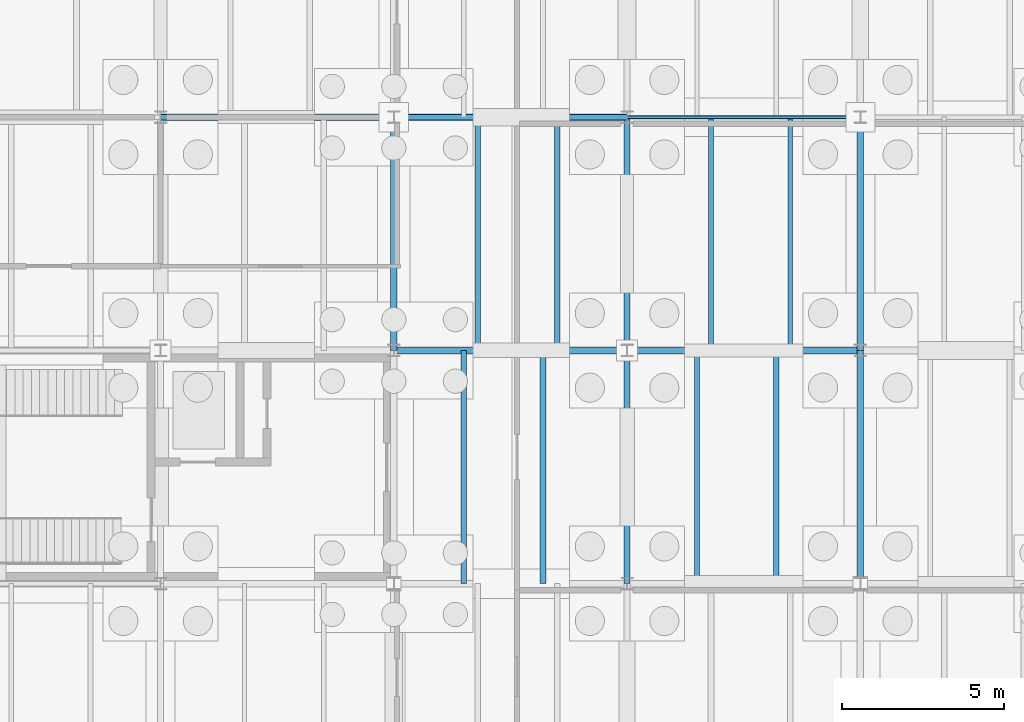
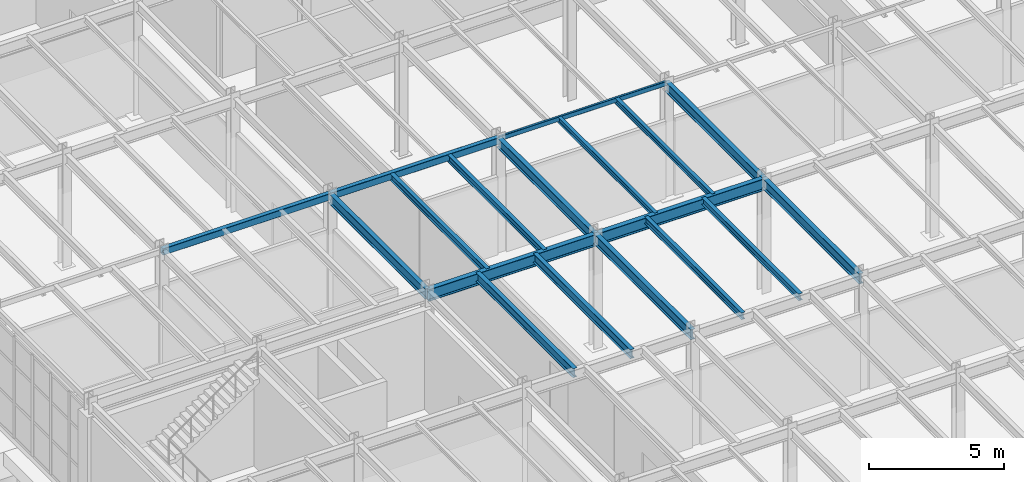
# One storey, part 49 of 293: 18 beams.
"""IFC4 building model written with IfcOpenShell, lengths in metres."""

from ifc_helpers import new_model, si_unit, direction, frame, origin, origin_2d, place, context, subcontext, project, spatial, hollow_rectangle, i_section, extrude, material, material_profile, profile_set, type_object, element, save


model = new_model("IFC4")

# Units and contexts
model_context = context("Model", 3, precision=1e-05, world=origin(), true_north=direction((0.0, 1.0)))
body_context = subcontext(model_context, "Body", "Model", "MODEL_VIEW")
ifc_project = project(units=[si_unit("LENGTHUNIT", "METRE"), si_unit("AREAUNIT", "SQUARE_METRE"), si_unit("VOLUMEUNIT", "CUBIC_METRE"), si_unit("PLANEANGLEUNIT", "RADIAN"), si_unit("MASSUNIT", "GRAM", prefix="KILO")], contexts=[model_context])

# Site, building, storey
site_placement = place(None, origin())
site = spatial("IfcSite", under=ifc_project, at=site_placement, CompositionType="ELEMENT")
building_placement = place(site_placement, origin())
building = spatial("IfcBuilding", under=site, at=building_placement, Name="Kemerveld Promenade Tramway Depot", CompositionType="ELEMENT")
storey_placement = place(building_placement, origin())
storey = spatial("IfcBuildingStorey", under=building, at=storey_placement, Name="L00", CompositionType="ELEMENT", Elevation=0.0)

# Beams
ifc_material = material(Name="Steel S355", Category="steel")
ifc_material_profile_1 = material_profile(ifc_material, i_section(OverallWidth=0.2099609375, OverallDepth=0.53662109375, WebThickness=0.0107421875, FlangeThickness=0.017333984375, FilletRadius=0.0126953125, at=origin_2d()), Name="533x210x101 UB")
ifc_profile_set_1 = profile_set([ifc_material_profile_1], Name="Steel S355")
beam_type_1 = type_object("IfcBeamType", Name="BM-G05", PredefinedType="BEAM", material=ifc_profile_set_1)
beam_1_placement = place(storey_placement, frame((14.39990234375, 21.60009765625, 4.881591796875), z_axis=(1.0, 0.0, 0.0), x_axis=(0.0, 1.0, 0.0)))
element("IfcBeam", 1, at=beam_1_placement, inside=storey, type_object=beam_type_1, Name="BMX-L00-03-04-D", PredefinedType="BEAM", context=body_context, shape_type="SweptSolid", body=[
    extrude(i_section(OverallWidth=0.2099609375, OverallDepth=0.53662109375, WebThickness=0.0107421875, FlangeThickness=0.017333984375, FilletRadius=0.0126953125, at=origin_2d()), origin(), (0.0, 0.0, 1.0), 7.2001953125),
])
beam_2_placement = place(storey_placement, frame((21.60009765625, 21.60009765625, 4.881591796875), z_axis=(1.0, 0.0, 0.0), x_axis=(0.0, 1.0, 0.0)))
element("IfcBeam", 2, at=beam_2_placement, inside=storey, type_object=beam_type_1, Name="BMX-L00-04-05-D", PredefinedType="BEAM", context=body_context, shape_type="SweptSolid", body=[
    extrude(i_section(OverallWidth=0.2099609375, OverallDepth=0.53662109375, WebThickness=0.0107421875, FlangeThickness=0.017333984375, FilletRadius=0.0126953125, at=origin_2d()), origin(), (0.0, 0.0, 1.0), 7.199951171875),
])
ifc_material_profile_2 = material_profile(ifc_material, i_section(OverallWidth=0.19140625, OverallDepth=0.4599609375, WebThickness=0.010009765625, FlangeThickness=0.01611328125, FilletRadius=0.01025390625, at=origin_2d()), Name="457x191x82 UB")
ifc_profile_set_2 = profile_set([ifc_material_profile_2], Name="Steel S355")
beam_type_2 = type_object("IfcBeamType", Name="BM-G06", PredefinedType="BEAM", material=ifc_profile_set_2)
beam_3_placement = place(storey_placement, frame((14.39990234375, 21.60009765625, 4.919921875), z_axis=(0.0, 1.0, 0.0), x_axis=(-1.0, 0.0, 0.0)))
element("IfcBeam", 3, at=beam_3_placement, inside=storey, type_object=beam_type_2, Name="BMY-L00-03-D-E", PredefinedType="BEAM", context=body_context, shape_type="SweptSolid", body=[
    extrude(i_section(OverallWidth=0.19140625, OverallDepth=0.4599609375, WebThickness=0.010009765625, FlangeThickness=0.01611328125, FilletRadius=0.01025390625, at=origin_2d()), origin(), (0.0, 0.0, 1.0), 7.199951171875),
])
beam_4_placement = place(storey_placement, frame((21.60009765625, 14.39990234375, 4.919921875), z_axis=(0.0, 1.0, 0.0), x_axis=(-1.0, 0.0, 0.0)))
element("IfcBeam", 4, at=beam_4_placement, inside=storey, type_object=beam_type_2, Name="BMY-L00-04-C-D", PredefinedType="BEAM", context=body_context, shape_type="SweptSolid", body=[
    extrude(i_section(OverallWidth=0.19140625, OverallDepth=0.4599609375, WebThickness=0.010009765625, FlangeThickness=0.01611328125, FilletRadius=0.01025390625, at=origin_2d()), origin(), (0.0, 0.0, 1.0), 7.2001953125),
])
beam_5_placement = place(storey_placement, frame((21.60009765625, 21.60009765625, 4.919921875), z_axis=(0.0, 1.0, 0.0), x_axis=(-1.0, 0.0, 0.0)))
element("IfcBeam", 5, at=beam_5_placement, inside=storey, type_object=beam_type_2, Name="BMY-L00-04-D-E", PredefinedType="BEAM", context=body_context, shape_type="SweptSolid", body=[
    extrude(i_section(OverallWidth=0.19140625, OverallDepth=0.4599609375, WebThickness=0.010009765625, FlangeThickness=0.01611328125, FilletRadius=0.01025390625, at=origin_2d()), origin(), (0.0, 0.0, 1.0), 7.199951171875),
])
beam_6_placement = place(storey_placement, frame((28.800048828125, 14.39990234375, 4.919921875), z_axis=(0.0, 1.0, 0.0), x_axis=(-1.0, 0.0, 0.0)))
element("IfcBeam", 6, at=beam_6_placement, inside=storey, type_object=beam_type_2, Name="BMY-L00-05-C-D", PredefinedType="BEAM", context=body_context, shape_type="SweptSolid", body=[
    extrude(i_section(OverallWidth=0.19140625, OverallDepth=0.4599609375, WebThickness=0.010009765625, FlangeThickness=0.01611328125, FilletRadius=0.01025390625, at=origin_2d()), origin(), (0.0, 0.0, 1.0), 7.2001953125),
])
beam_7_placement = place(storey_placement, frame((28.800048828125, 21.60009765625, 4.919921875), z_axis=(0.0, 1.0, 0.0), x_axis=(-1.0, 0.0, 0.0)))
element("IfcBeam", 7, at=beam_7_placement, inside=storey, type_object=beam_type_2, Name="BMY-L00-05-D-E", PredefinedType="BEAM", context=body_context, shape_type="SweptSolid", body=[
    extrude(i_section(OverallWidth=0.19140625, OverallDepth=0.4599609375, WebThickness=0.010009765625, FlangeThickness=0.01611328125, FilletRadius=0.01025390625, at=origin_2d()), origin(), (0.0, 0.0, 1.0), 7.199951171875),
])
ifc_material_profile_3 = material_profile(ifc_material, hollow_rectangle(XDim=0.199951171875, YDim=0.300048828125, WallThickness=0.012451171875, InnerFilletRadius=0.00634765625, OuterFilletRadius=0.018798828125, at=origin_2d()), Name="300x200x12.5 RHS")
ifc_profile_set_3 = profile_set([ifc_material_profile_3], Name="Steel S355")
beam_type_3 = type_object("IfcBeamType", Name="BM-G18", PredefinedType="BEAM", material=ifc_profile_set_3)
beam_8_placement = place(storey_placement, frame((7.199951171875, 28.800048828125, 5.0), z_axis=(1.0, 0.0, 0.0), x_axis=(0.0, 1.0, 0.0)))
element("IfcBeam", 8, at=beam_8_placement, inside=storey, type_object=beam_type_3, Name="BMX-L00-02-03-E", PredefinedType="BEAM", context=body_context, shape_type="SweptSolid", body=[
    extrude(hollow_rectangle(XDim=0.199951171875, YDim=0.300048828125, WallThickness=0.012451171875, InnerFilletRadius=0.00634765625, OuterFilletRadius=0.018798828125, at=origin_2d()), origin(), (0.0, 0.0, 1.0), 7.199951171875),
])
ifc_material_profile_4 = material_profile(ifc_material, i_section(OverallWidth=0.165771484375, OverallDepth=0.306640625, WebThickness=0.006591796875, FlangeThickness=0.01171875, FilletRadius=0.0087890625, at=origin_2d()), Name="305x165x46 UB")
ifc_profile_set_4 = profile_set([ifc_material_profile_4], Name="Steel S355")
beam_type_4 = type_object("IfcBeamType", Name="BM-J01", PredefinedType="JOIST", material=ifc_profile_set_4)
for number, where, z_axis, x_axis, name in (
    (9, (16.991943359375, 21.60009765625, 4.99658203125), (0.0, 1.0, 0.0), (-1.0, 0.0, 0.0), "JST-L00-03-D-1"),
    (10, (19.43994140625, 21.60009765625, 4.99658203125), (0.0, 1.0, 0.0), (-1.0, 0.0, 0.0), "JST-L00-03-D-2"),
):
    element("IfcBeam", number, at=place(storey_placement, frame(where, z_axis=z_axis, x_axis=x_axis)), inside=storey, type_object=beam_type_4, Name=name, PredefinedType="JOIST", context=body_context, shape_type="SweptSolid", body=[
        extrude(i_section(OverallWidth=0.165771484375, OverallDepth=0.306640625, WebThickness=0.006591796875, FlangeThickness=0.01171875, FilletRadius=0.0087890625, at=origin_2d()), origin(), (0.0, 0.0, 1.0), 7.199951171875),
    ])
for number, where, z_axis, x_axis, name in (
    (11, (23.760009765625, 14.39990234375, 4.99658203125), (0.0, 1.0, 0.0), (-1.0, 0.0, 0.0), "JST-L00-04-C-1"),
    (12, (26.2080078125, 14.39990234375, 4.99658203125), (0.0, 1.0, 0.0), (-1.0, 0.0, 0.0), "JST-L00-04-C-2"),
):
    element("IfcBeam", number, at=place(storey_placement, frame(where, z_axis=z_axis, x_axis=x_axis)), inside=storey, type_object=beam_type_4, Name=name, PredefinedType="JOIST", context=body_context, shape_type="SweptSolid", body=[
        extrude(i_section(OverallWidth=0.165771484375, OverallDepth=0.306640625, WebThickness=0.006591796875, FlangeThickness=0.01171875, FilletRadius=0.0087890625, at=origin_2d()), origin(), (0.0, 0.0, 1.0), 7.2001953125),
    ])
ifc_material_profile_5 = material_profile(ifc_material, i_section(OverallWidth=0.146484375, OverallDepth=0.256103515625, WebThickness=0.00634765625, FlangeThickness=0.010986328125, FilletRadius=0.007568359375, at=origin_2d()), Name="254x146x37 UB")
ifc_profile_set_5 = profile_set([ifc_material_profile_5], Name="Steel S355")
beam_type_5 = type_object("IfcBeamType", Name="BM-J02", PredefinedType="JOIST", material=ifc_profile_set_5)
for number, where, z_axis, x_axis, name in (
    (13, (24.19189453125, 21.60009765625, 5.02197265625), (0.0, 1.0, 0.0), (-1.0, 0.0, 0.0), "JST-L00-04-D-1"),
    (14, (26.639892578125, 21.60009765625, 5.02197265625), (0.0, 1.0, 0.0), (-1.0, 0.0, 0.0), "JST-L00-04-D-2"),
):
    element("IfcBeam", number, at=place(storey_placement, frame(where, z_axis=z_axis, x_axis=x_axis)), inside=storey, type_object=beam_type_5, Name=name, PredefinedType="JOIST", context=body_context, shape_type="SweptSolid", body=[
        extrude(i_section(OverallWidth=0.146484375, OverallDepth=0.256103515625, WebThickness=0.00634765625, FlangeThickness=0.010986328125, FilletRadius=0.007568359375, at=origin_2d()), origin(), (0.0, 0.0, 1.0), 7.199951171875),
    ])
ifc_material_profile_6 = material_profile(ifc_material, i_section(OverallWidth=0.1787109375, OverallDepth=0.409423828125, WebThickness=0.0087890625, FlangeThickness=0.014404296875, FilletRadius=0.01025390625, at=origin_2d()), Name="406x178x67 UB")
ifc_profile_set_6 = profile_set([ifc_material_profile_6], Name="Steel S355")
beam_type_6 = type_object("IfcBeamType", Name="BM-J05", PredefinedType="JOIST", material=ifc_profile_set_6)
for number, where, z_axis, x_axis, name in (
    (15, (16.56005859375, 14.39990234375, 4.9453125), (0.0, 1.0, 0.0), (-1.0, 0.0, 0.0), "JST-L00-03-C-1"),
    (16, (19.008056640625, 14.39990234375, 4.9453125), (0.0, 1.0, 0.0), (-1.0, 0.0, 0.0), "JST-L00-03-C-2"),
):
    element("IfcBeam", number, at=place(storey_placement, frame(where, z_axis=z_axis, x_axis=x_axis)), inside=storey, type_object=beam_type_6, Name=name, PredefinedType="JOIST", context=body_context, shape_type="SweptSolid", body=[
        extrude(i_section(OverallWidth=0.1787109375, OverallDepth=0.409423828125, WebThickness=0.0087890625, FlangeThickness=0.014404296875, FilletRadius=0.01025390625, at=origin_2d()), origin(), (0.0, 0.0, 1.0), 7.2001953125),
    ])
ifc_material_profile_7 = material_profile(ifc_material, hollow_rectangle(XDim=0.199951171875, YDim=0.300048828125, WallThickness=0.012451171875, InnerFilletRadius=0.00634765625, OuterFilletRadius=0.018798828125, at=origin_2d()), Name="300x200x12.5 RHS")
ifc_profile_set_7 = profile_set([ifc_material_profile_7], Name="Steel S355")
beam_type_7 = type_object("IfcBeamType", Name="BM-SP1", PredefinedType="SPANDREL", material=ifc_profile_set_7)
beam_9_placement = place(storey_placement, frame((14.39990234375, 28.800048828125, 5.0), z_axis=(1.0, 0.0, 0.0), x_axis=(0.0, 1.0, 0.0)))
element("IfcBeam", 17, at=beam_9_placement, inside=storey, type_object=beam_type_7, Name="BMX-L00-03-04-E", PredefinedType="SPANDREL", context=body_context, shape_type="SweptSolid", body=[
    extrude(hollow_rectangle(XDim=0.199951171875, YDim=0.300048828125, WallThickness=0.012451171875, InnerFilletRadius=0.00634765625, OuterFilletRadius=0.018798828125, at=origin_2d()), origin(), (0.0, 0.0, 1.0), 7.2001953125),
])
ifc_material_profile_8 = material_profile(ifc_material, hollow_rectangle(XDim=0.10009765625, YDim=0.199951171875, WallThickness=0.008056640625, InnerFilletRadius=0.00390625, OuterFilletRadius=0.011962890625, at=origin_2d()), Name="200x100x8.0 RHS")
ifc_profile_set_8 = profile_set([ifc_material_profile_8], Name="Steel S355")
beam_type_8 = type_object("IfcBeamType", Name="BM-SP3", PredefinedType="SPANDREL", material=ifc_profile_set_8)
beam_10_placement = place(storey_placement, frame((21.60009765625, 28.800048828125, 5.050048828125), z_axis=(1.0, 0.0, 0.0), x_axis=(0.0, 1.0, 0.0)))
element("IfcBeam", 18, at=beam_10_placement, inside=storey, type_object=beam_type_8, Name="BMX-L00-04-05-E", PredefinedType="SPANDREL", context=body_context, shape_type="SweptSolid", body=[
    extrude(hollow_rectangle(XDim=0.10009765625, YDim=0.199951171875, WallThickness=0.008056640625, InnerFilletRadius=0.00390625, OuterFilletRadius=0.011962890625, at=origin_2d()), origin(), (0.0, 0.0, 1.0), 7.199951171875),
])

save(model, "model.ifc")
